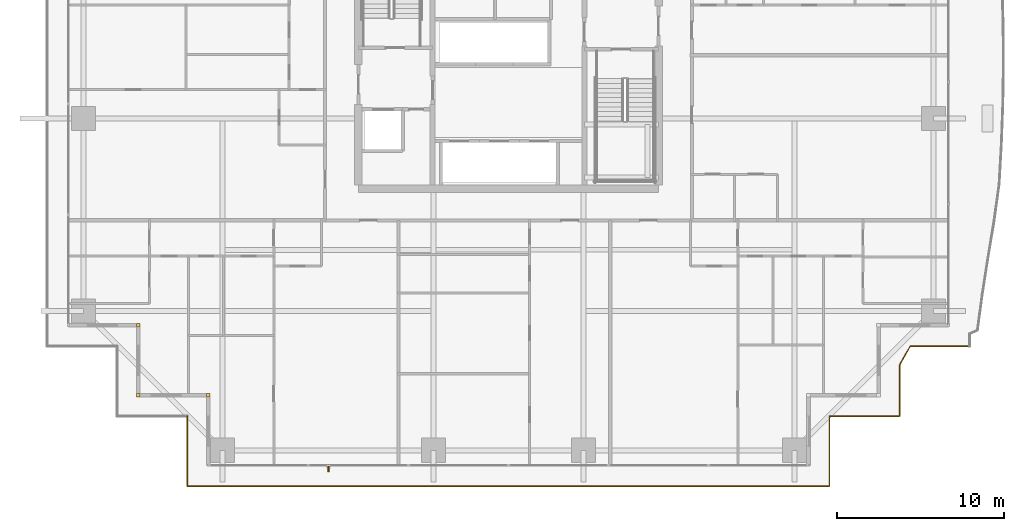
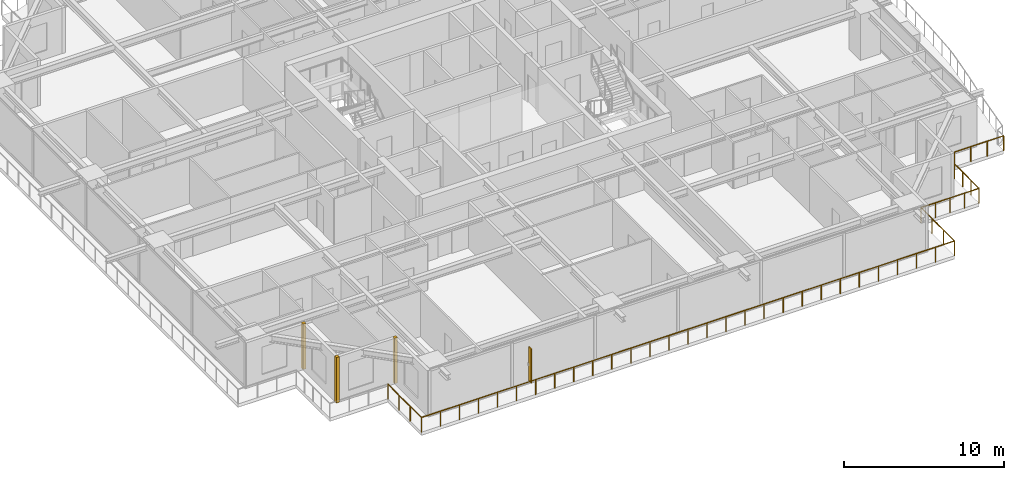
# One storey, part 33 of 38: 3 coverings, 1 railing, 1 shading device.
"""IFC4 building model written with IfcOpenShell, lengths in metres."""

import ifcopenshell
import ifcopenshell.guid

model = None  # the IFC model being written
_history = None  # IfcOwnerHistory: only IFC2X3 demands one
_inside = {}  # id of a spatial element -> (the spatial element, [elements in it])
_under = {}  # id of a project, library or spatial element -> (it, [spatial elements below it])
_declared = {}  # id of a project -> (the project, [libraries it declares])
_typed = {}  # id of a type object -> (the type object, [elements of that type])
_made_of = {}  # id of a material, layer set ... -> (it, [elements and type objects made of it])


def new_model(schema):
    """Start an empty IFC model of exactly this schema.

    Asked for "IFC4X3", IfcOpenShell would pick the latest addendum, in which some entities
    have other attributes; the version numbers below select the first issue.
    IFC2X3 requires an IfcOwnerHistory on every rooted entity: one is made here for all.
    """
    global model, _history
    if schema == "IFC4X3":
        model = ifcopenshell.file(schema_version=(4, 3, 0, 0))
    else:
        model = ifcopenshell.file(schema=schema)
    _inside.clear()
    _under.clear()
    _declared.clear()
    _typed.clear()
    _made_of.clear()
    _history = None
    if model.schema == "IFC2X3":
        org = make("IfcOrganization", Name="unknown")
        user = make(
            "IfcPersonAndOrganization",
            ThePerson=make("IfcPerson", FamilyName="unknown"),
            TheOrganization=org,
        )
        app = make(
            "IfcApplication",
            ApplicationDeveloper=org,
            Version="unknown",
            ApplicationFullName="unknown",
            ApplicationIdentifier="unknown",
        )
        _history = make(
            "IfcOwnerHistory",
            OwningUser=user,
            OwningApplication=app,
            ChangeAction="ADDED",
            CreationDate=0,
        )
    return model


def make(cls, **values):
    """One entity of the class cls with the attributes given. An attribute that is None is left unset."""
    return model.create_entity(
        cls, **{name: value for name, value in values.items() if value is not None}
    )


def rooted(cls, **values):
    """An entity with a GlobalId (a new one), such as an element, a storey or a relation."""
    return make(cls, GlobalId=ifcopenshell.guid.new(), OwnerHistory=_history, **values)


def si_unit(unit_type, name, prefix=None):
    """IfcSIUnit, for example si_unit("LENGTHUNIT", "METRE", prefix="MILLI")."""
    return make("IfcSIUnit", UnitType=unit_type, Prefix=prefix, Name=name)


def assignment(units):
    """IfcUnitAssignment: the units of a project."""
    return None if units is None else make("IfcUnitAssignment", Units=units)


def point(xyz):
    """IfcCartesianPoint."""
    return None if xyz is None else make("IfcCartesianPoint", Coordinates=xyz)


def direction(xyz):
    """IfcDirection."""
    return None if xyz is None else make("IfcDirection", DirectionRatios=xyz)


def frame(location, z_axis=None, x_axis=None):
    """IfcAxis2Placement3D, a coordinate frame: its origin and axes. An axis left out is left unset."""
    return make(
        "IfcAxis2Placement3D",
        Location=point(location),
        Axis=direction(z_axis),
        RefDirection=direction(x_axis),
    )


def frame_2d(location, x_axis=None):
    """IfcAxis2Placement2D, a coordinate frame in the plane: its origin and x axis."""
    return make(
        "IfcAxis2Placement2D", Location=point(location), RefDirection=direction(x_axis)
    )


def origin():
    """The frame at (0, 0, 0) with its axes left unset."""
    return frame((0.0, 0.0, 0.0))


def origin_2d():
    """The frame at (0, 0) in the plane with its x axis left unset."""
    return frame_2d((0.0, 0.0))


def place(relative_to, where):
    """IfcLocalPlacement: puts the frame where relative to a parent placement (None: the world)."""
    return make(
        "IfcLocalPlacement", PlacementRelTo=relative_to, RelativePlacement=where
    )


def context(
    kind, dimensions, precision=None, world=None, true_north=None, identifier=None
):
    """IfcGeometricRepresentationContext, for example the 3D "Model" context."""
    return make(
        "IfcGeometricRepresentationContext",
        ContextIdentifier=identifier,
        ContextType=kind,
        CoordinateSpaceDimension=dimensions,
        Precision=precision,
        WorldCoordinateSystem=world,
        TrueNorth=true_north,
    )


def subcontext(parent, identifier, kind, view, scale=None):
    """IfcGeometricRepresentationSubContext, for example "Body" below "Model"."""
    return make(
        "IfcGeometricRepresentationSubContext",
        ContextIdentifier=identifier,
        ContextType=kind,
        ParentContext=parent,
        TargetScale=scale,
        TargetView=view,
    )


def project(units=None, contexts=None):
    """IfcProject with its units and contexts."""
    return rooted(
        "IfcProject",
        Name="project",
        RepresentationContexts=contexts,
        UnitsInContext=assignment(units),
    )


def spatial(cls, under=None, at=None, **own):
    """A site, building, storey or space (cls), placed at a placement, below another one or the project."""
    s = rooted(cls, ObjectPlacement=at, **own)
    if under is not None:
        _under.setdefault(under.id(), (under, []))[1].append(s)
    return s


def profile(cls, at=None, kind="AREA", **sizes):
    """A parametric profile (cls). Its sizes go by their IFC names, for example OverallWidth=200.0."""
    return make(cls, ProfileType=kind, Position=at, **sizes)


def rectangle(**sizes):
    """IfcRectangleProfileDef."""
    return profile("IfcRectangleProfileDef", **sizes)


def circle(**sizes):
    """IfcCircleProfileDef."""
    return profile("IfcCircleProfileDef", **sizes)


def extrude(swept, where, along, depth):
    """IfcExtrudedAreaSolid: the profile swept, set in the frame where, extruded along a direction by depth."""
    return make(
        "IfcExtrudedAreaSolid",
        SweptArea=swept,
        Position=where,
        ExtrudedDirection=direction(along),
        Depth=depth,
    )


def shape(context_of_items, identifier, shape_type, items):
    """IfcShapeRepresentation: the items that make up one representation, for example the "Body"."""
    return make(
        "IfcShapeRepresentation",
        ContextOfItems=context_of_items,
        RepresentationIdentifier=identifier,
        RepresentationType=shape_type,
        Items=items,
    )


def source(mapping_origin, context_of_items, identifier, shape_type, items):
    """IfcRepresentationMap: a shape defined once, which mapped items show again and again."""
    return make(
        "IfcRepresentationMap",
        MappingOrigin=mapping_origin,
        MappedRepresentation=shape(context_of_items, identifier, shape_type, items),
    )


def transform(
    local_origin,
    x_axis=None,
    y_axis=None,
    z_axis=None,
    scale=None,
    scale2=None,
    scale3=None,
    uniform=True,
):
    """IfcCartesianTransformationOperator3D, or its non-uniform kind. x_axis, y_axis, z_axis: its Axis1, 2, 3."""
    if uniform:
        return make(
            "IfcCartesianTransformationOperator3D",
            Axis1=direction(x_axis),
            Axis2=direction(y_axis),
            LocalOrigin=point(local_origin),
            Scale=scale,
            Axis3=direction(z_axis),
        )
    return make(
        "IfcCartesianTransformationOperator3DnonUniform",
        Axis1=direction(x_axis),
        Axis2=direction(y_axis),
        LocalOrigin=point(local_origin),
        Scale=scale,
        Axis3=direction(z_axis),
        Scale2=scale2,
        Scale3=scale3,
    )


def mapped(mapping_source, mapping_target):
    """IfcMappedItem: shows the shape of a source again, moved by a transform."""
    return make(
        "IfcMappedItem", MappingSource=mapping_source, MappingTarget=mapping_target
    )


def material(Name=None, Category=None):
    """IfcMaterial."""
    return make("IfcMaterial", Name=Name, Category=Category)


def layer(
    of_material, thickness, ventilated=None, Name=None, Category=None, Priority=None
):
    """IfcMaterialLayer: one layer of a wall or slab, of a material (None: an air gap)."""
    return make(
        "IfcMaterialLayer",
        Material=of_material,
        LayerThickness=thickness,
        IsVentilated=ventilated,
        Name=Name,
        Category=Category,
        Priority=Priority,
    )


def layer_set(layers, Name=None):
    """IfcMaterialLayerSet."""
    return make("IfcMaterialLayerSet", MaterialLayers=layers, LayerSetName=Name)


def made_of(thing, what):
    """Note that an element or type object is made of a material, layer set ...; save() writes the relation."""
    if what is not None:
        _made_of.setdefault(what.id(), (what, []))[1].append(thing)
    return thing


def type_object(cls, material=None, **own):
    """A type object (cls), such as IfcWallType, which elements share."""
    return made_of(rooted(cls, **own), material)


def element(
    cls,
    number,
    at=None,
    inside=None,
    cuts=None,
    type_object=None,
    material=None,
    context=None,
    identifier="Body",
    shape_type=None,
    held_by="IfcProductDefinitionShape",
    body=None,
    shapes=None,
    **own,
):
    """One element of the class cls, such as IfcWall. Its Tag is "e" and its number.

    at: its placement. inside: the storey or other place that contains it. cuts: it is an
    opening in that element (IfcRelVoidsElement). A single representation is given by context,
    identifier, shape_type and body (its items); several are given by shapes. held_by: the class
    of the entity that holds the representations. save() writes the other relations.
    """
    e = rooted(cls, Tag="e%d" % number, ObjectPlacement=at, **own)
    if body is not None:
        shapes = [shape(context, identifier, shape_type, body)]
    if shapes is not None:
        e.Representation = make(held_by, Representations=shapes)
    if inside is not None:
        _inside.setdefault(inside.id(), (inside, []))[1].append(e)
    if cuts is not None:
        rooted(
            "IfcRelVoidsElement", RelatingBuildingElement=cuts, RelatedOpeningElement=e
        )
    if type_object is not None:
        _typed.setdefault(type_object.id(), (type_object, []))[1].append(e)
    return made_of(e, material)


def aggregate(whole, parts):
    """IfcRelAggregates: a whole, such as a stair, and the parts it consists of."""
    return rooted("IfcRelAggregates", RelatingObject=whole, RelatedObjects=parts)


def save(model, path):
    """Write the relations noted so far, then the file.

    IfcRelAggregates (storeys below a building ...), IfcRelContainedInSpatialStructure (elements
    in a storey), IfcRelDefinesByType, IfcRelAssociatesMaterial and IfcRelDeclares: one each for
    every whole, place, type object, material and project.
    """
    for whole, parts in _under.values():
        aggregate(whole, parts)
    for where, things in _inside.values():
        rooted(
            "IfcRelContainedInSpatialStructure",
            RelatedElements=things,
            RelatingStructure=where,
        )
    for kind, things in _typed.values():
        rooted("IfcRelDefinesByType", RelatedObjects=things, RelatingType=kind)
    for what, things in _made_of.values():
        rooted("IfcRelAssociatesMaterial", RelatedObjects=things, RelatingMaterial=what)
    for by, libraries in _declared.values():
        rooted("IfcRelDeclares", RelatingContext=by, RelatedDefinitions=libraries)
    model.write(path)


model = new_model("IFC4")

# Units and contexts
model_context = context("Model", 3, precision=1e-05, world=origin(), true_north=direction((0.0, 1.0)))
body_context = subcontext(model_context, "Body", "Model", "MODEL_VIEW")
ifc_project = project(units=[si_unit("LENGTHUNIT", "METRE"), si_unit("AREAUNIT", "SQUARE_METRE"), si_unit("VOLUMEUNIT", "CUBIC_METRE"), si_unit("PLANEANGLEUNIT", "RADIAN"), si_unit("MASSUNIT", "GRAM", prefix="KILO")], contexts=[model_context])

# Site, building, storey
site_placement = place(None, origin())
site = spatial("IfcSite", under=ifc_project, at=site_placement, CompositionType="ELEMENT")
building_placement = place(site_placement, origin())
building = spatial("IfcBuilding", under=site, at=building_placement, Name="Serunith Strait Residences", CompositionType="ELEMENT")
storey_placement = place(building_placement, frame((0.0, 0.0, 52.949951171875)))
storey = spatial("IfcBuildingStorey", under=building, at=storey_placement, Name="L12", CompositionType="ELEMENT", Elevation=52.949951171875)

# Railing
ifc_material_1 = material(Name="Stainless Steel & Laminated Glass Balustrade", Category="steel")
railing_type = type_object("IfcRailingType", Name="RLG-BALC-1150", PredefinedType="BALUSTRADE", material=ifc_material_1)
railing_placement = place(storey_placement, frame((60.06005859375, 7.340087890625, -0.050048828125)))
element("IfcRailing", 1, at=railing_placement, inside=storey, type_object=railing_type, Name="L12 Swirling Balcony Perimeter Balustrade 7", PredefinedType="BALUSTRADE", context=body_context, shape_type="SweptSolid", body=[
    extrude(circle(Radius=0.02392578125, at=origin_2d()), frame((-0.001953125, 0.0, 1.1259765625), z_axis=(-1.0, 0.0, 0.0), x_axis=(0.0, -1.0, 0.0)), (0.0, 0.0, 1.0), 3.554931640625),
    extrude(circle(Radius=0.02392578125, at=origin_2d()), frame((-3.559814453125, -0.001708984375, 1.1259765625), z_axis=(-0.497893926599, -0.867237936126, 0.0), x_axis=(0.867237936126, -0.497893926599, 0.0)), (0.0, 0.0, 1.0), 1.28369140625),
    extrude(circle(Radius=0.02392578125, at=origin_2d()), frame((-4.199951171875, -1.11865234375, 1.1259765625), z_axis=(0.0, -1.0, 0.0), x_axis=(1.0, 0.0, 0.0)), (0.0, 0.0, 1.0), 3.07958984375),
    extrude(circle(Radius=0.02392578125, at=origin_2d()), frame((-4.201904296875, -4.2001953125, 1.1259765625), z_axis=(-1.0, 0.0, 0.0), x_axis=(0.0, -1.0, 0.0)), (0.0, 0.0, 1.0), 4.1962890625),
    extrude(circle(Radius=0.02392578125, at=origin_2d()), frame((-8.400146484375, -4.2021484375, 1.1259765625), z_axis=(0.0, -1.0, 0.0), x_axis=(1.0, 0.0, 0.0)), (0.0, 0.0, 1.0), 4.196044921875),
    extrude(circle(Radius=0.02392578125, at=origin_2d()), frame((-8.402099609375, -8.400146484375, 1.1259765625), z_axis=(-1.0, 0.0, 0.0), x_axis=(0.0, -1.0, 0.0)), (0.0, 0.0, 1.0), 38.51611328125),
    extrude(circle(Radius=0.02392578125, at=origin_2d()), frame((-46.920166015625, -8.398193359375, 1.1259765625), z_axis=(0.0, 1.0, 0.0), x_axis=(-1.0, 0.0, 0.0)), (0.0, 0.0, 1.0), 4.196044921875),
    extrude(circle(Radius=0.02099609375, at=origin_2d()), origin(), (0.0, 0.0, 1.0), 1.099853515625),
    extrude(circle(Radius=0.02099609375, at=origin_2d()), frame((-1.186279296875, 0.0, 0.0)), (0.0, 0.0, 1.0), 1.099853515625),
    extrude(circle(Radius=0.02099609375, at=origin_2d()), frame((-2.37255859375, 0.0, 0.0)), (0.0, 0.0, 1.0), 1.099853515625),
    extrude(circle(Radius=0.02099609375, at=origin_2d()), frame((-3.558837890625, 0.0, 0.0)), (0.0, 0.0, 1.0), 1.099853515625),
    extrude(circle(Radius=0.02099609375, at=origin_2d()), frame((-4.199951171875, -1.11669921875, 0.0)), (0.0, 0.0, 1.0), 1.099853515625),
    extrude(circle(Radius=0.02099609375, at=origin_2d()), frame((-4.199951171875, -2.14453125, 0.0)), (0.0, 0.0, 1.0), 1.099853515625),
    extrude(circle(Radius=0.02099609375, at=origin_2d()), frame((-4.199951171875, -3.17236328125, 0.0)), (0.0, 0.0, 1.0), 1.099853515625),
    extrude(circle(Radius=0.02099609375, at=origin_2d()), frame((-4.199951171875, -4.2001953125, 0.0)), (0.0, 0.0, 1.0), 1.099853515625),
    extrude(circle(Radius=0.02099609375, at=origin_2d()), frame((-5.25, -4.2001953125, 0.0)), (0.0, 0.0, 1.0), 1.099853515625),
    extrude(circle(Radius=0.02099609375, at=origin_2d()), frame((-6.300048828125, -4.2001953125, 0.0)), (0.0, 0.0, 1.0), 1.099853515625),
    extrude(circle(Radius=0.02099609375, at=origin_2d()), frame((-7.35009765625, -4.2001953125, 0.0)), (0.0, 0.0, 1.0), 1.099853515625),
    extrude(circle(Radius=0.02099609375, at=origin_2d()), frame((-8.400146484375, -4.2001953125, 0.0)), (0.0, 0.0, 1.0), 1.099853515625),
    extrude(circle(Radius=0.02099609375, at=origin_2d()), frame((-8.400146484375, -5.60009765625, 0.0)), (0.0, 0.0, 1.0), 1.099853515625),
    extrude(circle(Radius=0.02099609375, at=origin_2d()), frame((-8.400146484375, -7.000244140625, 0.0)), (0.0, 0.0, 1.0), 1.099853515625),
    extrude(circle(Radius=0.02099609375, at=origin_2d()), frame((-8.400146484375, -8.400146484375, 0.0)), (0.0, 0.0, 1.0), 1.099853515625),
    extrude(circle(Radius=0.02099609375, at=origin_2d()), frame((-9.77587890625, -8.400146484375, 0.0)), (0.0, 0.0, 1.0), 1.099853515625),
    extrude(circle(Radius=0.02099609375, at=origin_2d()), frame((-11.151611328125, -8.400146484375, 0.0)), (0.0, 0.0, 1.0), 1.099853515625),
    extrude(circle(Radius=0.02099609375, at=origin_2d()), frame((-12.52734375, -8.400146484375, 0.0)), (0.0, 0.0, 1.0), 1.099853515625),
    extrude(circle(Radius=0.02099609375, at=origin_2d()), frame((-13.903076171875, -8.400146484375, 0.0)), (0.0, 0.0, 1.0), 1.099853515625),
    extrude(circle(Radius=0.02099609375, at=origin_2d()), frame((-15.27880859375, -8.400146484375, 0.0)), (0.0, 0.0, 1.0), 1.099853515625),
    extrude(circle(Radius=0.02099609375, at=origin_2d()), frame((-16.654541015625, -8.400146484375, 0.0)), (0.0, 0.0, 1.0), 1.099853515625),
    extrude(circle(Radius=0.02099609375, at=origin_2d()), frame((-18.0302734375, -8.400146484375, 0.0)), (0.0, 0.0, 1.0), 1.099853515625),
    extrude(circle(Radius=0.02099609375, at=origin_2d()), frame((-19.40576171875, -8.400146484375, 0.0)), (0.0, 0.0, 1.0), 1.099853515625),
    extrude(circle(Radius=0.02099609375, at=origin_2d()), frame((-20.781494140625, -8.400146484375, 0.0)), (0.0, 0.0, 1.0), 1.099853515625),
    extrude(circle(Radius=0.02099609375, at=origin_2d()), frame((-22.1572265625, -8.400146484375, 0.0)), (0.0, 0.0, 1.0), 1.099853515625),
    extrude(circle(Radius=0.02099609375, at=origin_2d()), frame((-23.532958984375, -8.400146484375, 0.0)), (0.0, 0.0, 1.0), 1.099853515625),
    extrude(circle(Radius=0.02099609375, at=origin_2d()), frame((-24.90869140625, -8.400146484375, 0.0)), (0.0, 0.0, 1.0), 1.099853515625),
    extrude(circle(Radius=0.02099609375, at=origin_2d()), frame((-26.284423828125, -8.400146484375, 0.0)), (0.0, 0.0, 1.0), 1.099853515625),
    extrude(circle(Radius=0.02099609375, at=origin_2d()), frame((-27.66015625, -8.400146484375, 0.0)), (0.0, 0.0, 1.0), 1.099853515625),
    extrude(circle(Radius=0.02099609375, at=origin_2d()), frame((-29.035888671875, -8.400146484375, 0.0)), (0.0, 0.0, 1.0), 1.099853515625),
    extrude(circle(Radius=0.02099609375, at=origin_2d()), frame((-30.41162109375, -8.400146484375, 0.0)), (0.0, 0.0, 1.0), 1.099853515625),
    extrude(circle(Radius=0.02099609375, at=origin_2d()), frame((-31.787353515625, -8.400146484375, 0.0)), (0.0, 0.0, 1.0), 1.099853515625),
    extrude(circle(Radius=0.02099609375, at=origin_2d()), frame((-33.1630859375, -8.400146484375, 0.0)), (0.0, 0.0, 1.0), 1.099853515625),
    extrude(circle(Radius=0.02099609375, at=origin_2d()), frame((-34.538818359375, -8.400146484375, 0.0)), (0.0, 0.0, 1.0), 1.099853515625),
    extrude(circle(Radius=0.02099609375, at=origin_2d()), frame((-35.91455078125, -8.400146484375, 0.0)), (0.0, 0.0, 1.0), 1.099853515625),
    extrude(circle(Radius=0.02099609375, at=origin_2d()), frame((-37.2900390625, -8.400146484375, 0.0)), (0.0, 0.0, 1.0), 1.099853515625),
    extrude(circle(Radius=0.02099609375, at=origin_2d()), frame((-38.665771484375, -8.400146484375, 0.0)), (0.0, 0.0, 1.0), 1.099853515625),
    extrude(circle(Radius=0.02099609375, at=origin_2d()), frame((-40.04150390625, -8.400146484375, 0.0)), (0.0, 0.0, 1.0), 1.099853515625),
    extrude(circle(Radius=0.02099609375, at=origin_2d()), frame((-41.417236328125, -8.400146484375, 0.0)), (0.0, 0.0, 1.0), 1.099853515625),
    extrude(circle(Radius=0.02099609375, at=origin_2d()), frame((-42.79296875, -8.400146484375, 0.0)), (0.0, 0.0, 1.0), 1.099853515625),
    extrude(circle(Radius=0.02099609375, at=origin_2d()), frame((-44.168701171875, -8.400146484375, 0.0)), (0.0, 0.0, 1.0), 1.099853515625),
    extrude(circle(Radius=0.02099609375, at=origin_2d()), frame((-45.54443359375, -8.400146484375, 0.0)), (0.0, 0.0, 1.0), 1.099853515625),
    extrude(circle(Radius=0.02099609375, at=origin_2d()), frame((-46.920166015625, -8.400146484375, 0.0)), (0.0, 0.0, 1.0), 1.099853515625),
    extrude(circle(Radius=0.02099609375, at=origin_2d()), frame((-46.920166015625, -7.000244140625, 0.0)), (0.0, 0.0, 1.0), 1.099853515625),
    extrude(circle(Radius=0.02099609375, at=origin_2d()), frame((-46.920166015625, -5.60009765625, 0.0)), (0.0, 0.0, 1.0), 1.099853515625),
    extrude(circle(Radius=0.02099609375, at=origin_2d()), frame((-46.920166015625, -4.2001953125, 0.0)), (0.0, 0.0, 1.0), 1.099853515625),
])

# Coverings
ifc_material_2 = material(Name="Pale-Champagne Anodised Aluminium", Category="aluminium")
ifc_layer = layer(ifc_material_2, 0.219970703125, Name="Pale-Champagne Anodised Aluminium")
ifc_layer_set = layer_set([ifc_layer], Name="Pale-Champagne Anodised Aluminium")
covering_type = type_object("IfcCoveringType", Name="COV-CORN-TRIM", PredefinedType="CLADDING", material=ifc_layer_set)
shared_shape_1 = source(origin(), body_context, "Body", "SweptSolid", [
    extrude(rectangle(XDim=0.221923828125, YDim=0.221923828125, at=origin_2d()), origin(), (0.0, 0.0, 1.0), 3.47509765625),
])
for number, where, z_axis, x_axis, name in (
    (2, (10.199951171875, 8.60009765625, 0.0), (0.0, 0.0, 1.0), (1.0, 0.0, 0.0), "L12 Girih Serrated Corner Trim Post 17"),
    (3, (10.199951171875, 4.39990234375, 0.0), (0.0, 0.0, 1.0), (1.0, 0.0, 0.0), "L12 Girih Serrated Corner Trim Post 18"),
    (4, (14.39990234375, 4.39990234375, 0.0), (0.0, 0.0, 1.0), (1.0, 0.0, 0.0), "L12 Girih Serrated Corner Trim Post 19"),
):
    element("IfcCovering", number, at=place(storey_placement, frame(where, z_axis=z_axis, x_axis=x_axis)), inside=storey, type_object=covering_type, Name=name, PredefinedType="CLADDING", context=body_context, shape_type="MappedRepresentation", body=[
        mapped(shared_shape_1, transform((0.0, 0.0, 0.0), scale=1.0)),
    ])

# Shading device
ifc_material_3 = material(Name="Pale-Champagne Perforated Aluminium Fin", Category="aluminium")
shading_device_type = type_object("IfcShadingDeviceType", Name="SHD-DIAG-FIN", PredefinedType="AWNING", material=ifc_material_3)
shared_shape_2 = source(origin(), body_context, "Body", "SweptSolid", [
    extrude(rectangle(XDim=0.080078125, YDim=0.35009765625, at=origin_2d()), origin(), (0.0, 0.0, 1.0), 2.60009765625),
])
shading_device_placement = place(storey_placement, frame((21.60009765625, -0.02001953125, 0.199951171875), z_axis=(0.0, 0.0, 1.0), x_axis=(1.0, 0.0, 0.0)))
element("IfcShadingDevice", 5, at=shading_device_placement, inside=storey, type_object=shading_device_type, Name="L12 Diagonal Rhythm Solar Fin S", PredefinedType="AWNING", context=body_context, shape_type="MappedRepresentation", body=[
    mapped(shared_shape_2, transform((0.0, 0.0, 0.0), scale=1.0)),
])

save(model, "model.ifc")
